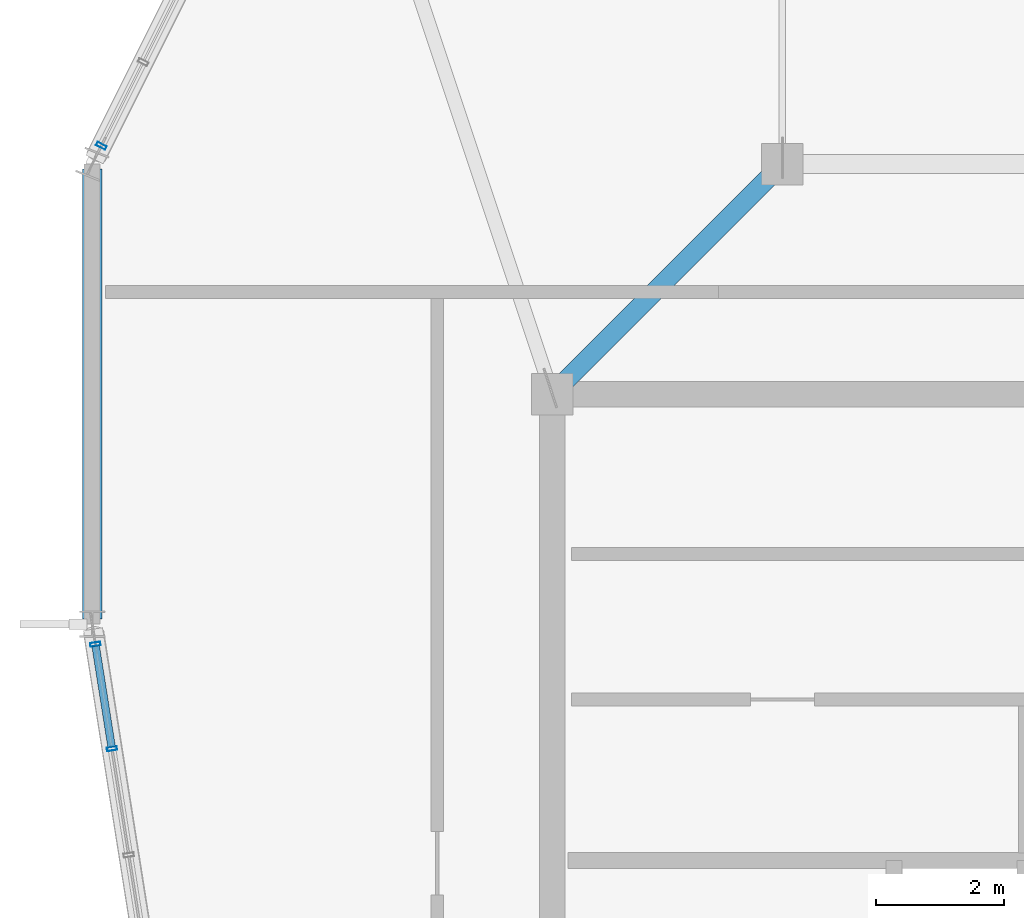
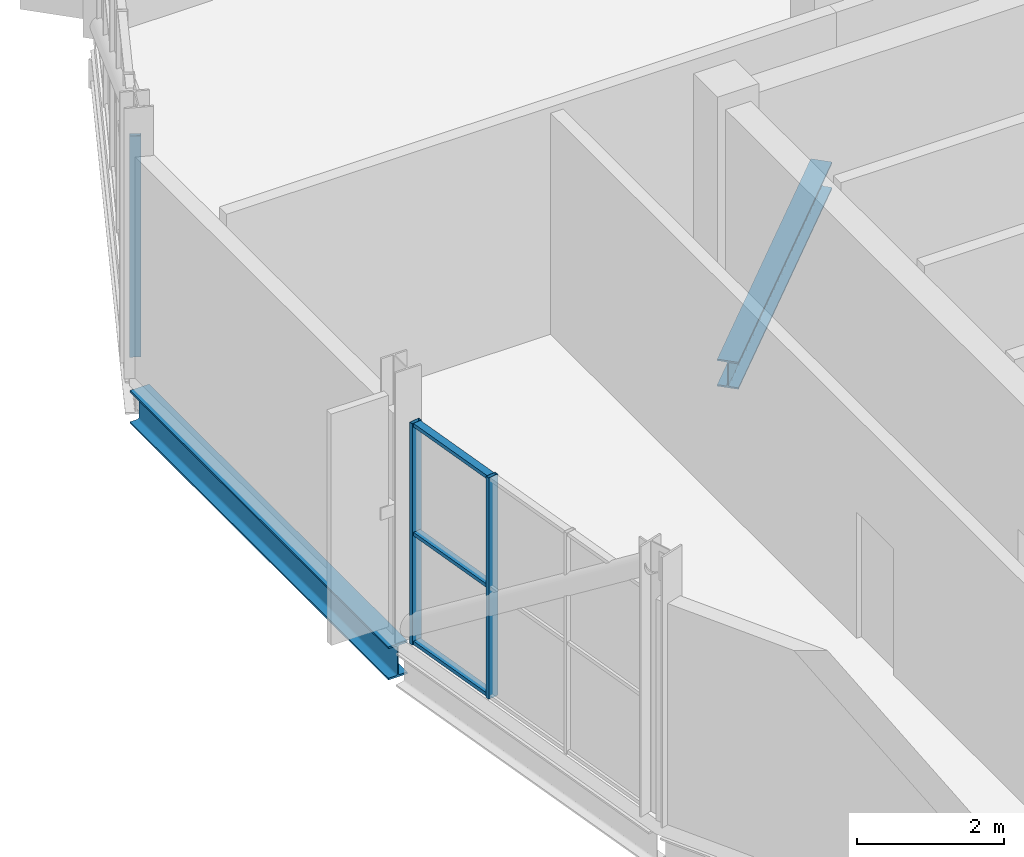
# One storey, part 7 of 22: 6 members, 2 beams, 2 elements without a shape of their own.
"""IFC4 building model written with IfcOpenShell, lengths in metres."""

from ifc_helpers import new_model, si_unit, direction, frame, origin, origin_2d, place, context, subcontext, project, spatial, hollow_rectangle, i_section, extrude, material, layer, layer_set, material_profile, profile_set, type_object, element, aggregate, save


model = new_model("IFC4")

# Units and contexts
model_context = context("Model", 3, precision=1e-05, world=origin(), true_north=direction((0.0, 1.0)))
body_context = subcontext(model_context, "Body", "Model", "MODEL_VIEW")
ifc_project = project(units=[si_unit("LENGTHUNIT", "METRE"), si_unit("AREAUNIT", "SQUARE_METRE"), si_unit("VOLUMEUNIT", "CUBIC_METRE"), si_unit("PLANEANGLEUNIT", "RADIAN"), si_unit("MASSUNIT", "GRAM", prefix="KILO")], contexts=[model_context])

# Site, building, storey
site_placement = place(None, origin())
site = spatial("IfcSite", under=ifc_project, at=site_placement, CompositionType="ELEMENT")
building_placement = place(site_placement, origin())
building = spatial("IfcBuilding", under=site, at=building_placement, Name="Solnavia Interchange Tower", CompositionType="ELEMENT")
storey_placement = place(building_placement, frame((0.0, 0.0, 308.699951171875)))
storey = spatial("IfcBuildingStorey", under=building, at=storey_placement, Name="C02", CompositionType="ELEMENT", Elevation=308.699951171875)

# Beam
ifc_material_1 = material(Name="Steel S460", Category="steel")
ifc_material_profile_1 = material_profile(ifc_material_1, i_section(OverallWidth=0.300048828125, OverallDepth=0.449951171875, WebThickness=0.013916015625, FlangeThickness=0.02587890625, FilletRadius=0.027099609375, at=origin_2d()), Name="HEB 450")
ifc_profile_set_1 = profile_set([ifc_material_profile_1], Name="Steel S460")
beam_type_1 = type_object("IfcBeamType", Name="Beam-Girder-HEB450", PredefinedType="BEAM", material=ifc_profile_set_1)
beam_1_placement = place(storey_placement, frame((17.943359375, 28.743408203125, -0.474853515625), z_axis=(-0.707106781187, -0.707106781187, 0.0), x_axis=(0.707106781187, -0.707106781187, 0.0)))
element("IfcBeam", 1, at=beam_1_placement, inside=storey, type_object=beam_type_1, Name="GRD-C02-CI04 Crown inner ring girder", PredefinedType="BEAM", context=body_context, shape_type="SweptSolid", body=[
    extrude(i_section(OverallWidth=0.300048828125, OverallDepth=0.449951171875, WebThickness=0.013916015625, FlangeThickness=0.02587890625, FilletRadius=0.027099609375, at=origin_2d()), origin(), (0.0, 0.0, 1.0), 4.93115234375),
])

# Curtain wall, member
ifc_material_2 = material(Name="Aluminium Alloy 6063-T6", Category="aluminium")
ifc_layer = layer(ifc_material_2, 0.179931640625)
ifc_layer_set = layer_set([ifc_layer], Name="Aluminium Alloy 6063-T6")
curtain_wall_type = type_object("IfcCurtainWallType", Name="CurtainWall-Crown-CTW6", PredefinedType="NOTDEFINED", material=ifc_layer_set)
curtain_wall_1_placement = place(storey_placement, origin())
curtain_wall_1 = element("IfcCurtainWall", 2, at=curtain_wall_1_placement, inside=storey, type_object=curtain_wall_type, Name="CTW-C02-R07 CTW-6 curtain wall", PredefinedType="NOTDEFINED")
ifc_material_profile_2 = material_profile(ifc_material_2, hollow_rectangle(XDim=0.06005859375, YDim=0.159912109375, WallThickness=0.00390625, at=origin_2d()), Name="ALU 160x60x4")
ifc_profile_set_2 = profile_set([ifc_material_profile_2], Name="Aluminium Alloy 6063-T6")
member_type_1 = type_object("IfcMemberType", Name="CW-Mullion-CWM-6", PredefinedType="MULLION", material=ifc_profile_set_2)
member_1_placement = place(storey_placement, frame((7.342529296875, 29.084716796875, 0.0), z_axis=(0.0, 0.0, 1.0), x_axis=(-0.447213595499, -0.894427191001, 0.0)))
member_1 = element("IfcMember", 3, at=member_1_placement, type_object=member_type_1, Name="CTW-6 mullion 6", PredefinedType="MULLION", context=body_context, shape_type="SweptSolid", body=[
    extrude(hollow_rectangle(XDim=0.06005859375, YDim=0.159912109375, WallThickness=0.00390625, at=origin_2d()), origin(), (0.0, 0.0, 1.0), 3.679931640625),
])
aggregate(curtain_wall_1, [member_1])

# Curtain wall, members
curtain_wall_2_placement = place(storey_placement, origin())
curtain_wall_2 = element("IfcCurtainWall", 4, at=curtain_wall_2_placement, inside=storey, type_object=curtain_wall_type, Name="CTW-C02-R09 CTW-6 curtain wall", PredefinedType="NOTDEFINED")
member_2_placement = place(storey_placement, frame((7.249755859375, 21.285400390625, 0.0), z_axis=(0.0, 0.0, 1.0), x_axis=(0.156456312485, -0.987684880052, 0.0)))
member_2 = element("IfcMember", 5, at=member_2_placement, type_object=member_type_1, Name="CTW-6 mullion 1", PredefinedType="MULLION", context=body_context, shape_type="SweptSolid", body=[
    extrude(hollow_rectangle(XDim=0.06005859375, YDim=0.159912109375, WallThickness=0.00390625, at=origin_2d()), origin(), (0.0, 0.0, 1.0), 3.679931640625),
])
member_3_placement = place(storey_placement, frame((7.5087890625, 19.651123046875, 0.0), z_axis=(0.0, 0.0, 1.0), x_axis=(0.156456312485, -0.987684880052, 0.0)))
member_3 = element("IfcMember", 6, at=member_3_placement, type_object=member_type_1, Name="CTW-6 mullion 2", PredefinedType="MULLION", context=body_context, shape_type="SweptSolid", body=[
    extrude(hollow_rectangle(XDim=0.06005859375, YDim=0.159912109375, WallThickness=0.00390625, at=origin_2d()), origin(), (0.0, 0.0, 1.0), 3.679931640625),
])
ifc_material_profile_3 = material_profile(ifc_material_2, hollow_rectangle(XDim=0.06005859375, YDim=0.1201171875, WallThickness=0.00390625, at=origin_2d()), Name="ALU 120x60x4")
ifc_profile_set_3 = profile_set([ifc_material_profile_3], Name="Aluminium Alloy 6063-T6")
member_type_2 = type_object("IfcMemberType", Name="CW-Transom-CWT-6", PredefinedType="USERDEFINED", material=ifc_profile_set_3)
member_4_placement = place(storey_placement, frame((7.25439453125, 21.255859375, 0.030029296875), z_axis=(0.156449934884, -0.987685890288, 0.0), x_axis=(0.0, 0.0, 1.0)))
member_4 = element("IfcMember", 7, at=member_4_placement, type_object=member_type_2, Name="CTW-6 transom 1.1", ObjectType="TRANSOM", PredefinedType="USERDEFINED", context=body_context, shape_type="SweptSolid", body=[
    extrude(hollow_rectangle(XDim=0.06005859375, YDim=0.1201171875, WallThickness=0.00390625, at=origin_2d()), origin(), (0.0, 0.0, 1.0), 1.5947265625),
])
member_5_placement = place(storey_placement, frame((7.25439453125, 21.255859375, 1.840087890625), z_axis=(0.156449934884, -0.987685890288, 0.0), x_axis=(0.0, 0.0, 1.0)))
member_5 = element("IfcMember", 8, at=member_5_placement, type_object=member_type_2, Name="CTW-6 transom 1.2", ObjectType="TRANSOM", PredefinedType="USERDEFINED", context=body_context, shape_type="SweptSolid", body=[
    extrude(hollow_rectangle(XDim=0.06005859375, YDim=0.1201171875, WallThickness=0.00390625, at=origin_2d()), origin(), (0.0, 0.0, 1.0), 1.5947265625),
])
member_6_placement = place(storey_placement, frame((7.25439453125, 21.255859375, 3.650146484375), z_axis=(0.156449934884, -0.987685890288, 0.0), x_axis=(0.0, 0.0, 1.0)))
member_6 = element("IfcMember", 9, at=member_6_placement, type_object=member_type_2, Name="CTW-6 transom 1.3", ObjectType="TRANSOM", PredefinedType="USERDEFINED", context=body_context, shape_type="SweptSolid", body=[
    extrude(hollow_rectangle(XDim=0.06005859375, YDim=0.1201171875, WallThickness=0.00390625, at=origin_2d()), origin(), (0.0, 0.0, 1.0), 1.5947265625),
])
aggregate(curtain_wall_2, [member_2, member_3, member_4, member_5, member_6])

# Beam
ifc_material_profile_4 = material_profile(ifc_material_1, i_section(OverallWidth=0.300048828125, OverallDepth=0.550048828125, WebThickness=0.014892578125, FlangeThickness=0.029052734375, FilletRadius=0.027099609375, at=origin_2d()), Name="HEB 550")
ifc_profile_set_4 = profile_set([ifc_material_profile_4], Name="Steel S460")
beam_type_2 = type_object("IfcBeamType", Name="CrownFrame-Ring-HEB550", PredefinedType="BEAM", material=ifc_profile_set_4)
beam_2_placement = place(storey_placement, frame((7.199951171875, 28.719970703125, -0.52490234375), z_axis=(0.0, -1.0, 0.0), x_axis=(1.0, 0.0, 0.0)))
element("IfcBeam", 10, at=beam_2_placement, inside=storey, type_object=beam_type_2, Name="GRD-C02-CR08 CROWN FRAME outer collar ring beam", PredefinedType="BEAM", context=body_context, shape_type="SweptSolid", body=[
    extrude(i_section(OverallWidth=0.300048828125, OverallDepth=0.550048828125, WebThickness=0.014892578125, FlangeThickness=0.029052734375, FilletRadius=0.027099609375, at=origin_2d()), origin(), (0.0, 0.0, 1.0), 7.0400390625),
])

save(model, "model.ifc")
